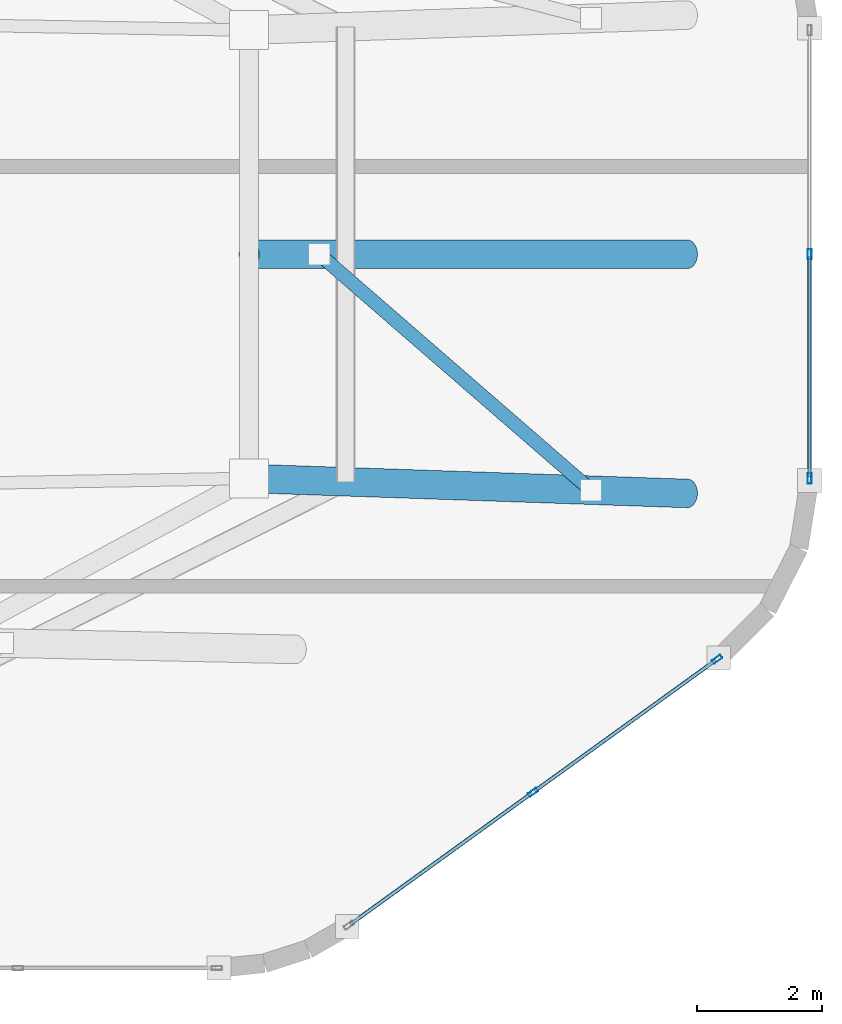
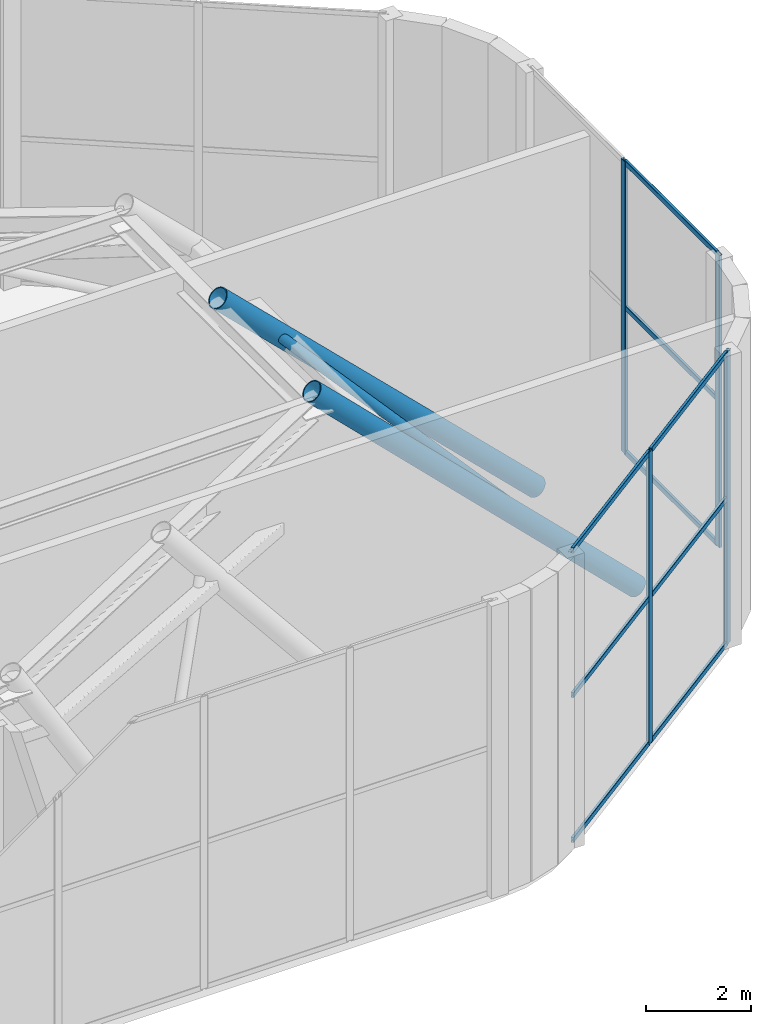
# One storey, part 18 of 23: 16 members, 2 elements without a shape of their own.
"""IFC4 building model written with IfcOpenShell, lengths in metres."""

from ifc_helpers import new_model, si_unit, direction, frame, origin, origin_2d, place, context, subcontext, project, spatial, hollow_rectangle, hollow_circle, extrude, material, layer, layer_set, material_profile, profile_set, type_object, element, aggregate, save


model = new_model("IFC4")

# Units and contexts
model_context = context("Model", 3, precision=1e-05, world=origin(), true_north=direction((0.0, 1.0)))
body_context = subcontext(model_context, "Body", "Model", "MODEL_VIEW")
ifc_project = project(units=[si_unit("LENGTHUNIT", "METRE"), si_unit("AREAUNIT", "SQUARE_METRE"), si_unit("VOLUMEUNIT", "CUBIC_METRE"), si_unit("PLANEANGLEUNIT", "RADIAN"), si_unit("MASSUNIT", "GRAM", prefix="KILO")], contexts=[model_context])

# Site, building, storey
site_placement = place(None, origin())
site = spatial("IfcSite", under=ifc_project, at=site_placement, CompositionType="ELEMENT")
building_placement = place(site_placement, origin())
building = spatial("IfcBuilding", under=site, at=building_placement, Name="An Khanh Terracotta Commons", CompositionType="ELEMENT")
storey_placement = place(building_placement, frame((0.0, 0.0, 322.0)))
storey = spatial("IfcBuildingStorey", under=building, at=storey_placement, Name="L81 Crown Heat-Recovery Plant", CompositionType="ELEMENT", Elevation=322.0)

# Members
ifc_material_1 = material(Name="Steel S460ML", Category="steel")
ifc_material_profile_1 = material_profile(ifc_material_1, hollow_circle(Radius=0.109619140625, WallThickness=0.010009765625, at=origin_2d()), Name="CHS219.1x10")
ifc_profile_set_1 = profile_set([ifc_material_profile_1], Name="Steel S460ML")
member_type_1 = type_object("IfcMemberType", Name="CROWN FRAME BRACE CHS219", PredefinedType="BRACE", material=ifc_profile_set_1)
member_1_placement = place(storey_placement, frame((55.31005859375, 20.23291015625, 1.385009765625), z_axis=(-0.60765565883, 0.527430208458, 0.593777715562), x_axis=(-0.655494803531, -0.755199683887, 0.0)))
element("IfcMember", 1, at=member_1_placement, inside=storey, type_object=member_type_1, Name="L81 Crown Heat-Recovery Plant CROWN FRAME Wind Diagonal 3", PredefinedType="BRACE", context=body_context, shape_type="SweptSolid", body=[
    extrude(hollow_circle(Radius=0.109619140625, WallThickness=0.010009765625, at=origin_2d()), origin(), (0.0, 0.0, 1.0), 7.142333984375),
])
ifc_material_profile_2 = material_profile(ifc_material_1, hollow_circle(Radius=0.228515625, WallThickness=0.02001953125, at=origin_2d()), Name="CHS457x20")
ifc_profile_set_2 = profile_set([ifc_material_profile_2], Name="Steel S460ML")
member_type_2 = type_object("IfcMemberType", Name="CROWN FRAME RIB CHS457", PredefinedType="STRUT", material=ifc_profile_set_2)
member_2_placement = place(storey_placement, frame((56.85009765625, 20.179931640625, -0.1201171875), z_axis=(-0.715014211444, 0.024513775455, 0.698680007046), x_axis=(-0.034264187798, -0.999412810321, 0.0)))
element("IfcMember", 2, at=member_2_placement, inside=storey, type_object=member_type_2, Name="L81 Crown Heat-Recovery Plant CROWN FRAME Corner Raking Rib 3", PredefinedType="STRUT", context=body_context, shape_type="SweptSolid", body=[
    extrude(hollow_circle(Radius=0.228515625, WallThickness=0.02001953125, at=origin_2d()), origin(), (0.0, 0.0, 1.0), 9.7900390625),
])
member_3_placement = place(storey_placement, frame((56.85009765625, 24.0, -0.1201171875), z_axis=(-0.715229143342, 0.0, 0.698890028913), x_axis=(0.0, -1.0, 0.0)))
element("IfcMember", 3, at=member_3_placement, inside=storey, type_object=member_type_2, Name="L81 Crown Heat-Recovery Plant CROWN FRAME Facet Strut 3", PredefinedType="STRUT", context=body_context, shape_type="SweptSolid", body=[
    extrude(hollow_circle(Radius=0.228515625, WallThickness=0.02001953125, at=origin_2d()), origin(), (0.0, 0.0, 1.0), 9.787109375),
])

# Curtain wall, members
ifc_material_2 = material(Name="Anodised Aluminium 6063-T6", Category="aluminium")
ifc_layer = layer(ifc_material_2, 0.18994140625, Name="Anodised Aluminium 6063-T6")
ifc_layer_set = layer_set([ifc_layer], Name="Anodised Aluminium 6063-T6")
curtain_wall_type = type_object("IfcCurtainWallType", Name="CW-SYS-06", PredefinedType="USERDEFINED", material=ifc_layer_set)
curtain_wall_1_placement = place(storey_placement, origin())
curtain_wall_1 = element("IfcCurtainWall", 4, at=curtain_wall_1_placement, inside=storey, type_object=curtain_wall_type, Name="L81 Crown Heat-Recovery Plant CW-06 Unitised Curtain Wall CW-L81-08", ObjectType="UNITISED CURTAIN WALL", PredefinedType="USERDEFINED")
ifc_material_profile_3 = material_profile(ifc_material_2, hollow_rectangle(XDim=0.06494140625, YDim=0.1650390625, WallThickness=0.00390625, InnerFilletRadius=0.00390625, OuterFilletRadius=0.008056640625, at=origin_2d()), Name="RHS165x65x4")
ifc_profile_set_3 = profile_set([ifc_material_profile_3], Name="Anodised Aluminium 6063-T6")
member_type_3 = type_object("IfcMemberType", Name="CWM-RHS165x65x4", PredefinedType="MULLION", material=ifc_profile_set_3)
member_4_placement = place(storey_placement, frame((54.384033203125, 15.407958984375, 0.0), z_axis=(0.0, 0.0, 1.0), x_axis=(-0.585829698889, 0.810434182337, 0.0)))
member_4 = element("IfcMember", 5, at=member_4_placement, type_object=member_type_3, Name="CW-06 mullion 2", PredefinedType="MULLION", context=body_context, shape_type="SweptSolid", body=[
    extrude(hollow_rectangle(XDim=0.06494140625, YDim=0.1650390625, WallThickness=0.00390625, InnerFilletRadius=0.00390625, OuterFilletRadius=0.008056640625, at=origin_2d()), origin(), (0.0, 0.0, 1.0), 6.800048828125),
])
member_5_placement = place(storey_placement, frame((57.32373046875, 17.532958984375, 0.0), z_axis=(0.0, 0.0, 1.0), x_axis=(-0.585829698889, 0.810434182337, 0.0)))
member_5 = element("IfcMember", 6, at=member_5_placement, type_object=member_type_3, Name="CW-06 mullion 3", PredefinedType="MULLION", context=body_context, shape_type="SweptSolid", body=[
    extrude(hollow_rectangle(XDim=0.06494140625, YDim=0.1650390625, WallThickness=0.00390625, InnerFilletRadius=0.00390625, OuterFilletRadius=0.008056640625, at=origin_2d()), origin(), (0.0, 0.0, 1.0), 6.800048828125),
])

curtain_wall_2_placement = place(storey_placement, origin())
curtain_wall_2 = element("IfcCurtainWall", 7, at=curtain_wall_2_placement, inside=storey, type_object=curtain_wall_type, Name="L81 Crown Heat-Recovery Plant CW-06 Unitised Curtain Wall CW-L81-12", ObjectType="UNITISED CURTAIN WALL", PredefinedType="USERDEFINED")
member_6_placement = place(storey_placement, frame((58.800048828125, 20.42138671875, 0.0), z_axis=(0.0, 0.0, 1.0), x_axis=(-1.0, 0.0, 0.0)))
member_6 = element("IfcMember", 8, at=member_6_placement, type_object=member_type_3, Name="CW-06 mullion 1", PredefinedType="MULLION", context=body_context, shape_type="SweptSolid", body=[
    extrude(hollow_rectangle(XDim=0.06494140625, YDim=0.1650390625, WallThickness=0.00390625, InnerFilletRadius=0.00390625, OuterFilletRadius=0.008056640625, at=origin_2d()), origin(), (0.0, 0.0, 1.0), 6.800048828125),
])
member_7_placement = place(storey_placement, frame((58.800048828125, 24.0, 0.0), z_axis=(0.0, 0.0, 1.0), x_axis=(-1.0, 0.0, 0.0)))
member_7 = element("IfcMember", 9, at=member_7_placement, type_object=member_type_3, Name="CW-06 mullion 2", PredefinedType="MULLION", context=body_context, shape_type="SweptSolid", body=[
    extrude(hollow_rectangle(XDim=0.06494140625, YDim=0.1650390625, WallThickness=0.00390625, InnerFilletRadius=0.00390625, OuterFilletRadius=0.008056640625, at=origin_2d()), origin(), (0.0, 0.0, 1.0), 6.800048828125),
])

# Member
ifc_material_profile_4 = material_profile(ifc_material_2, hollow_rectangle(XDim=0.06005859375, YDim=0.1201171875, WallThickness=0.003662109375, InnerFilletRadius=0.003662109375, OuterFilletRadius=0.007080078125, at=origin_2d()), Name="RHS120x60x3.6")
ifc_profile_set_4 = profile_set([ifc_material_profile_4], Name="Anodised Aluminium 6063-T6")
member_type_4 = type_object("IfcMemberType", Name="CWT-RHS120x60x3.6", PredefinedType="USERDEFINED", material=ifc_profile_set_4)
member_8_placement = place(storey_placement, frame((51.470703125, 13.302001953125, 0.030029296875), z_axis=(0.810427950974, 0.585838319232, 0.0), x_axis=(-0.585838319232, 0.810427950974, 0.0)))
member_8 = element("IfcMember", 10, at=member_8_placement, type_object=member_type_4, Name="CW-06 transom 1.1", ObjectType="TRANSOM", PredefinedType="USERDEFINED", context=body_context, shape_type="SweptSolid", body=[
    extrude(hollow_rectangle(XDim=0.06005859375, YDim=0.1201171875, WallThickness=0.003662109375, InnerFilletRadius=0.003662109375, OuterFilletRadius=0.007080078125, at=origin_2d()), origin(), (0.0, 0.0, 1.0), 3.562255859375),
])

member_9_placement = place(storey_placement, frame((51.470703125, 13.302001953125, 3.39990234375), z_axis=(0.810427950974, 0.585838319232, 0.0), x_axis=(-0.585838319232, 0.810427950974, 0.0)))
member_9 = element("IfcMember", 11, at=member_9_placement, type_object=member_type_4, Name="CW-06 transom 1.2", ObjectType="TRANSOM", PredefinedType="USERDEFINED", context=body_context, shape_type="SweptSolid", body=[
    extrude(hollow_rectangle(XDim=0.06005859375, YDim=0.1201171875, WallThickness=0.003662109375, InnerFilletRadius=0.003662109375, OuterFilletRadius=0.007080078125, at=origin_2d()), origin(), (0.0, 0.0, 1.0), 3.562255859375),
])

member_10_placement = place(storey_placement, frame((51.470703125, 13.302001953125, 6.77001953125), z_axis=(0.810427950974, 0.585838319232, 0.0), x_axis=(-0.585838319232, 0.810427950974, 0.0)))
member_10 = element("IfcMember", 12, at=member_10_placement, type_object=member_type_4, Name="CW-06 transom 1.3", ObjectType="TRANSOM", PredefinedType="USERDEFINED", context=body_context, shape_type="SweptSolid", body=[
    extrude(hollow_rectangle(XDim=0.06005859375, YDim=0.1201171875, WallThickness=0.003662109375, InnerFilletRadius=0.003662109375, OuterFilletRadius=0.007080078125, at=origin_2d()), origin(), (0.0, 0.0, 1.0), 3.562255859375),
])

member_11_placement = place(storey_placement, frame((54.410400390625, 15.427001953125, 0.030029296875), z_axis=(0.810427950974, 0.585838319232, 0.0), x_axis=(-0.585838319232, 0.810427950974, 0.0)))
member_11 = element("IfcMember", 13, at=member_11_placement, type_object=member_type_4, Name="CW-06 transom 2.1", ObjectType="TRANSOM", PredefinedType="USERDEFINED", context=body_context, shape_type="SweptSolid", body=[
    extrude(hollow_rectangle(XDim=0.06005859375, YDim=0.1201171875, WallThickness=0.003662109375, InnerFilletRadius=0.003662109375, OuterFilletRadius=0.007080078125, at=origin_2d()), origin(), (0.0, 0.0, 1.0), 3.562255859375),
])

member_12_placement = place(storey_placement, frame((54.410400390625, 15.427001953125, 3.39990234375), z_axis=(0.810427950974, 0.585838319232, 0.0), x_axis=(-0.585838319232, 0.810427950974, 0.0)))
member_12 = element("IfcMember", 14, at=member_12_placement, type_object=member_type_4, Name="CW-06 transom 2.2", ObjectType="TRANSOM", PredefinedType="USERDEFINED", context=body_context, shape_type="SweptSolid", body=[
    extrude(hollow_rectangle(XDim=0.06005859375, YDim=0.1201171875, WallThickness=0.003662109375, InnerFilletRadius=0.003662109375, OuterFilletRadius=0.007080078125, at=origin_2d()), origin(), (0.0, 0.0, 1.0), 3.562255859375),
])

member_13_placement = place(storey_placement, frame((54.410400390625, 15.427001953125, 6.77001953125), z_axis=(0.810427950974, 0.585838319232, 0.0), x_axis=(-0.585838319232, 0.810427950974, 0.0)))
member_13 = element("IfcMember", 15, at=member_13_placement, type_object=member_type_4, Name="CW-06 transom 2.3", ObjectType="TRANSOM", PredefinedType="USERDEFINED", context=body_context, shape_type="SweptSolid", body=[
    extrude(hollow_rectangle(XDim=0.06005859375, YDim=0.1201171875, WallThickness=0.003662109375, InnerFilletRadius=0.003662109375, OuterFilletRadius=0.007080078125, at=origin_2d()), origin(), (0.0, 0.0, 1.0), 3.562255859375),
])

aggregate(curtain_wall_1, [member_4, member_5, member_8, member_9, member_10, member_11, member_12, member_13])

member_14_placement = place(storey_placement, frame((58.800048828125, 20.4541015625, 0.030029296875), z_axis=(0.0, 1.0, 0.0), x_axis=(-1.0, 0.0, 0.0)))
member_14 = element("IfcMember", 16, at=member_14_placement, type_object=member_type_4, Name="CW-06 transom 1.1", ObjectType="TRANSOM", PredefinedType="USERDEFINED", context=body_context, shape_type="SweptSolid", body=[
    extrude(hollow_rectangle(XDim=0.06005859375, YDim=0.1201171875, WallThickness=0.003662109375, InnerFilletRadius=0.003662109375, OuterFilletRadius=0.007080078125, at=origin_2d()), origin(), (0.0, 0.0, 1.0), 3.513427734375),
])

member_15_placement = place(storey_placement, frame((58.800048828125, 20.4541015625, 3.39990234375), z_axis=(0.0, 1.0, 0.0), x_axis=(-1.0, 0.0, 0.0)))
member_15 = element("IfcMember", 17, at=member_15_placement, type_object=member_type_4, Name="CW-06 transom 1.2", ObjectType="TRANSOM", PredefinedType="USERDEFINED", context=body_context, shape_type="SweptSolid", body=[
    extrude(hollow_rectangle(XDim=0.06005859375, YDim=0.1201171875, WallThickness=0.003662109375, InnerFilletRadius=0.003662109375, OuterFilletRadius=0.007080078125, at=origin_2d()), origin(), (0.0, 0.0, 1.0), 3.513427734375),
])

member_16_placement = place(storey_placement, frame((58.800048828125, 20.4541015625, 6.77001953125), z_axis=(0.0, 1.0, 0.0), x_axis=(-1.0, 0.0, 0.0)))
member_16 = element("IfcMember", 18, at=member_16_placement, type_object=member_type_4, Name="CW-06 transom 1.3", ObjectType="TRANSOM", PredefinedType="USERDEFINED", context=body_context, shape_type="SweptSolid", body=[
    extrude(hollow_rectangle(XDim=0.06005859375, YDim=0.1201171875, WallThickness=0.003662109375, InnerFilletRadius=0.003662109375, OuterFilletRadius=0.007080078125, at=origin_2d()), origin(), (0.0, 0.0, 1.0), 3.513427734375),
])

aggregate(curtain_wall_2, [member_6, member_7, member_14, member_15, member_16])

save(model, "model.ifc")
